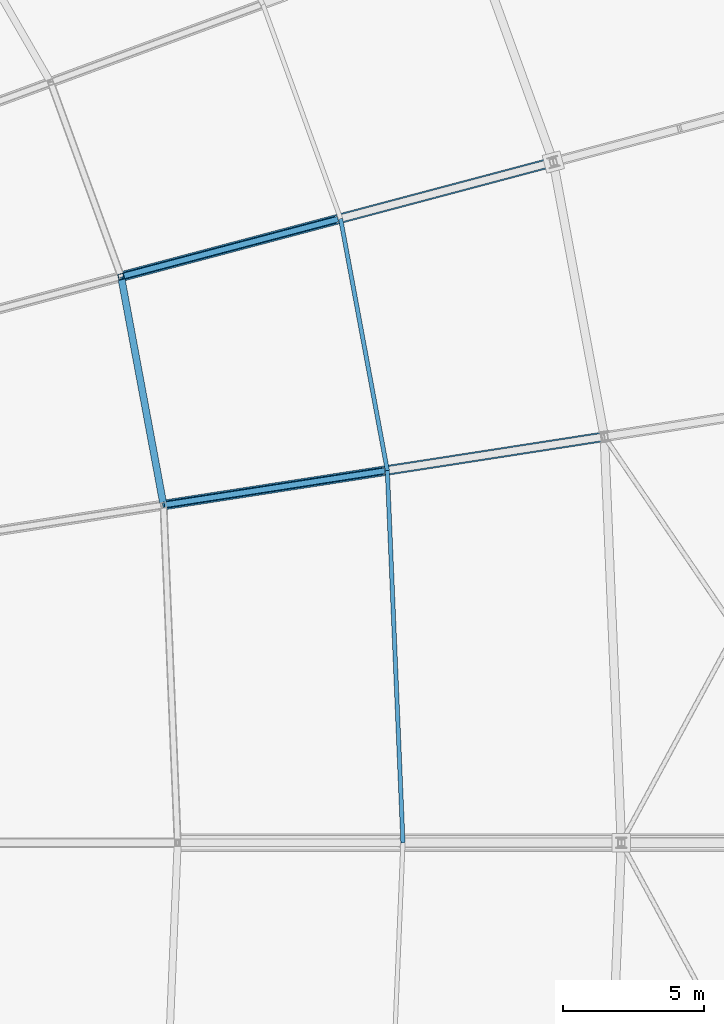
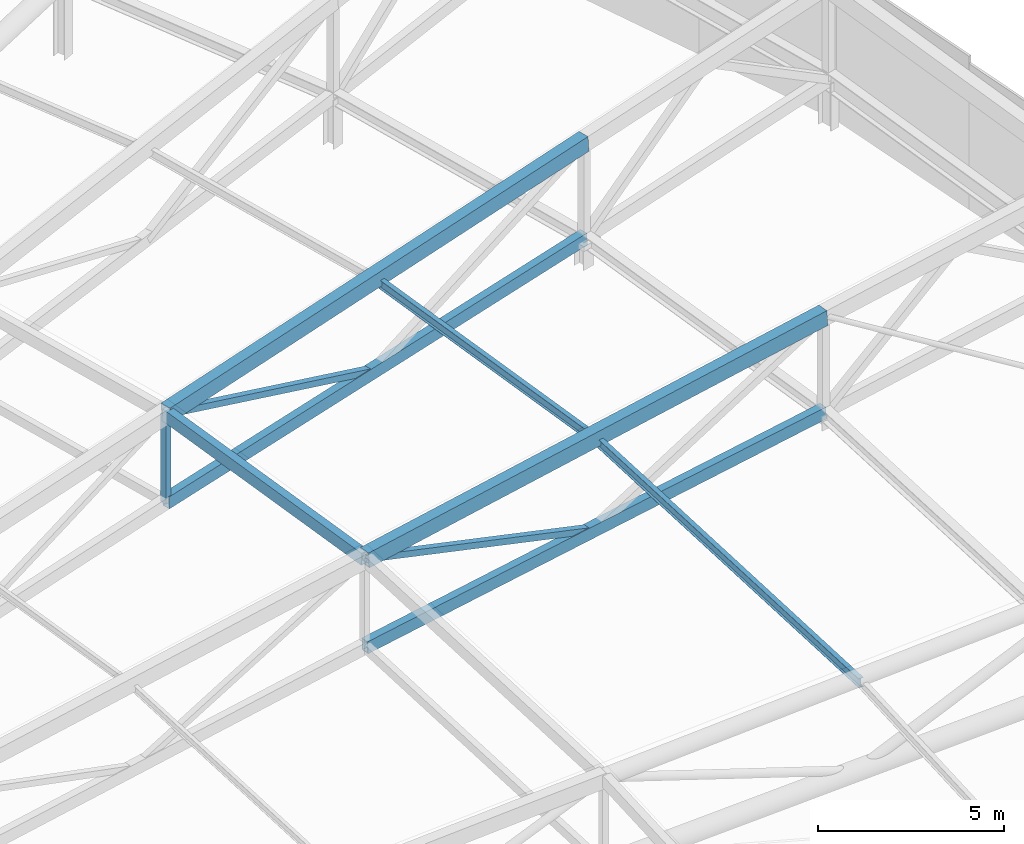
# One storey, part 75 of 143: 5 beams, 5 members.
"""IFC4 building model written with IfcOpenShell, lengths in metres."""

from ifc_helpers import new_model, si_unit, direction, frame, origin, origin_2d, place, context, subcontext, project, spatial, hollow_rectangle, i_section, extrude, material, material_profile, profile_set, type_object, element, save


model = new_model("IFC4")

# Units and contexts
model_context = context("Model", 3, precision=1e-05, world=origin(), true_north=direction((0.0, 1.0)))
body_context = subcontext(model_context, "Body", "Model", "MODEL_VIEW")
ifc_project = project(units=[si_unit("LENGTHUNIT", "METRE"), si_unit("AREAUNIT", "SQUARE_METRE"), si_unit("VOLUMEUNIT", "CUBIC_METRE"), si_unit("PLANEANGLEUNIT", "RADIAN"), si_unit("MASSUNIT", "GRAM", prefix="KILO")], contexts=[model_context])

# Site, building, storey
site_placement = place(None, origin())
site = spatial("IfcSite", under=ifc_project, at=site_placement, CompositionType="ELEMENT")
building_placement = place(site_placement, origin())
building = spatial("IfcBuilding", under=site, at=building_placement, Name="Mphavela Belvedere Stadium", CompositionType="ELEMENT")
storey_placement = place(building_placement, frame((0.0, 0.0, 28.800048828125)))
storey = spatial("IfcBuildingStorey", under=building, at=storey_placement, Name="RF", CompositionType="ELEMENT", Elevation=28.800048828125)

# Beams
ifc_material_1 = material(Name="Steel S355", Category="steel")
ifc_material_profile_1 = material_profile(ifc_material_1, hollow_rectangle(XDim=0.25, YDim=0.39990234375, WallThickness=0.01611328125, at=origin_2d()), Name="RHS 400x250x16")
ifc_profile_set_1 = profile_set([ifc_material_profile_1], Name="Steel S355")
beam_type_1 = type_object("IfcBeamType", Name="BM-RING-MID", PredefinedType="BEAM", material=ifc_profile_set_1)
beam_1_placement = place(storey_placement, frame((192.33935546875, 98.995849609375, 2.614013671875), z_axis=(-0.182438230803, 0.982234667217, 0.043947132546), x_axis=(-0.983184563063, -0.182614662488, 0.0)))
element("IfcBeam", 1, at=beam_1_placement, inside=storey, type_object=beam_type_1, Name="Intermediate roof ring beam RB-MID-02", PredefinedType="BEAM", context=body_context, shape_type="SweptSolid", body=[
    extrude(hollow_rectangle(XDim=0.25, YDim=0.39990234375, WallThickness=0.01611328125, at=origin_2d()), origin(), (0.0, 0.0, 1.0), 8.2607421875),
])
ifc_material_2 = material(Name="Steel S355", Category="steel")
ifc_material_profile_2 = material_profile(ifc_material_2, hollow_rectangle(XDim=0.25, YDim=0.39990234375, WallThickness=0.01611328125, at=origin_2d()), Name="RHS 400x250x16")
ifc_profile_set_2 = profile_set([ifc_material_profile_2], Name="Steel S355")
beam_type_2 = type_object("IfcBeamType", Name="BM-TRUSS-BC2", PredefinedType="BEAM", material=ifc_profile_set_2)
beam_2_placement = place(storey_placement, frame((208.0, 101.4248046875, 0.48046875), z_axis=(-0.9870314816, -0.153087896524, -0.048300623901), x_axis=(0.153266782809, -0.988184847732, 0.0)))
element("IfcBeam", 2, at=beam_2_placement, inside=storey, type_object=beam_type_2, Name="Radial roof truss RT-02 bottom chord 2", PredefinedType="BEAM", context=body_context, shape_type="SweptSolid", body=[
    extrude(hollow_rectangle(XDim=0.25, YDim=0.39990234375, WallThickness=0.01611328125, at=origin_2d()), origin(), (0.0, 0.0, 1.0), 15.866455078125),
])
beam_3_placement = place(storey_placement, frame((206.1875, 111.181884765625, 0.916748046875), z_axis=(-0.965242685849, -0.255970788732, -0.052777956859), x_axis=(0.256328040197, -0.966589848803, 0.0)))
element("IfcBeam", 3, at=beam_3_placement, inside=storey, type_object=beam_type_2, Name="Radial roof truss RT-03 bottom chord 2", PredefinedType="BEAM", context=body_context, shape_type="SweptSolid", body=[
    extrude(hollow_rectangle(XDim=0.25, YDim=0.39990234375, WallThickness=0.01611328125, at=origin_2d()), origin(), (0.0, 0.0, 1.0), 15.908203125),
])
ifc_material_3 = material(Name="Steel S355", Category="steel")
ifc_material_profile_3 = material_profile(ifc_material_3, hollow_rectangle(XDim=0.35009765625, YDim=0.5, WallThickness=0.02001953125, at=origin_2d()), Name="RHS 500x350x20")
ifc_profile_set_3 = profile_set([ifc_material_profile_3], Name="Steel S355")
beam_type_3 = type_object("IfcBeamType", Name="BM-TRUSS-TC2", PredefinedType="BEAM", material=ifc_profile_set_3)
beam_4_placement = place(storey_placement, frame((208.0, 101.4248046875, 3.63037109375), z_axis=(-0.986158933324, -0.152952564893, -0.064000555599), x_axis=(0.153266782809, -0.988184847732, 0.0)))
element("IfcBeam", 4, at=beam_4_placement, inside=storey, type_object=beam_type_3, Name="Radial roof truss RT-02 top chord 2", PredefinedType="BEAM", context=body_context, shape_type="SweptSolid", body=[
    extrude(hollow_rectangle(XDim=0.35009765625, YDim=0.5, WallThickness=0.02001953125, at=origin_2d()), origin(), (0.0, 0.0, 1.0), 15.88037109375),
])
beam_5_placement = place(storey_placement, frame((206.1875, 111.181884765625, 4.06689453125), z_axis=(-0.964323205895, -0.255726953671, -0.068443259259), x_axis=(0.256328040197, -0.966589848803, 0.0)))
element("IfcBeam", 5, at=beam_5_placement, inside=storey, type_object=beam_type_3, Name="Radial roof truss RT-03 top chord 2", PredefinedType="BEAM", context=body_context, shape_type="SweptSolid", body=[
    extrude(hollow_rectangle(XDim=0.35009765625, YDim=0.5, WallThickness=0.02001953125, at=origin_2d()), origin(), (0.0, 0.0, 1.0), 15.92333984375),
])

# Members
ifc_material_4 = material(Name="Steel S355", Category="steel")
ifc_material_profile_4 = material_profile(ifc_material_4, hollow_rectangle(XDim=0.199951171875, YDim=0.199951171875, WallThickness=0.010009765625, at=origin_2d()), Name="SHS 200x200x10")
ifc_profile_set_4 = profile_set([ifc_material_profile_4], Name="Steel S355")
member_type_1 = type_object("IfcMemberType", Name="MEM-POST-SHS200", PredefinedType="POST", material=ifc_profile_set_4)
member_1_placement = place(storey_placement, frame((200.169677734375, 100.21044921875, 0.09716796875), z_axis=(-0.94181610483, -0.146089705407, 0.302721361416), x_axis=(0.153281826121, -0.988182514408, 0.0)))
element("IfcMember", 6, at=member_1_placement, inside=storey, type_object=member_type_1, Name="Radial roof truss RT-02 web diagonal D4", PredefinedType="POST", context=body_context, shape_type="SweptSolid", body=[
    extrude(hollow_rectangle(XDim=0.199951171875, YDim=0.199951171875, WallThickness=0.010009765625, at=origin_2d()), origin(), (0.0, 0.0, 1.0), 8.31396484375),
])
member_2_placement = place(storey_placement, frame((190.832275390625, 107.10986328125, 0.0771484375), z_axis=(0.0, 0.0, 1.0), x_axis=(0.966600102017, 0.256289373133, 0.0)))
element("IfcMember", 7, at=member_2_placement, inside=storey, type_object=member_type_1, Name="Radial roof truss RT-03 post P3", PredefinedType="POST", context=body_context, shape_type="SweptSolid", body=[
    extrude(hollow_rectangle(XDim=0.199951171875, YDim=0.199951171875, WallThickness=0.010009765625, at=origin_2d()), origin(), (0.0, 0.0, 1.0), 2.89990234375),
])
member_3_placement = place(storey_placement, frame((198.510009765625, 109.145751953125, 0.4970703125), z_axis=(-0.922668992957, -0.24466219576, 0.298030769221), x_axis=(0.256309874085, -0.966594666055, 0.0)))
element("IfcMember", 8, at=member_3_placement, inside=storey, type_object=member_type_1, Name="Radial roof truss RT-03 web diagonal D4", PredefinedType="POST", context=body_context, shape_type="SweptSolid", body=[
    extrude(hollow_rectangle(XDim=0.199951171875, YDim=0.199951171875, WallThickness=0.010009765625, at=origin_2d()), origin(), (0.0, 0.0, 1.0), 8.3212890625),
])
ifc_material_5 = material(Name="Steel S355", Category="steel")
ifc_material_profile_5 = material_profile(ifc_material_5, i_section(OverallWidth=0.14990234375, OverallDepth=0.300048828125, WebThickness=0.007080078125, FlangeThickness=0.0107421875, at=origin_2d()), Name="IPE 300")
ifc_profile_set_5 = profile_set([ifc_material_profile_5], Name="Steel S355")
member_type_2 = type_object("IfcMemberType", Name="MEM-PURLIN-IPE300", PredefinedType="PURLIN", material=ifc_profile_set_5)
member_4_placement = place(storey_placement, frame((200.844970703125, 87.0, 2.803466796875), z_axis=(-0.041909020321, 0.999068268854, 0.010306705833), x_axis=(-0.999121337686, -0.041911246458, 0.0)))
element("IfcMember", 9, at=member_4_placement, inside=storey, type_object=member_type_2, Name="Saddle canopy steel purlin 01-2", PredefinedType="PURLIN", context=body_context, shape_type="SweptSolid", body=[
    extrude(i_section(OverallWidth=0.14990234375, OverallDepth=0.300048828125, WebThickness=0.007080078125, FlangeThickness=0.0107421875, at=origin_2d()), origin(), (0.0, 0.0, 1.0), 13.241455078125),
])
member_5_placement = place(storey_placement, frame((200.2900390625, 100.22900390625, 2.93994140625), z_axis=(-0.182446845795, 0.982232930682, 0.043950180244), x_axis=(-0.983182956793, -0.18262331032, 0.0)))
element("IfcMember", 10, at=member_5_placement, inside=storey, type_object=member_type_2, Name="Saddle canopy steel purlin 02-2", PredefinedType="PURLIN", context=body_context, shape_type="SweptSolid", body=[
    extrude(i_section(OverallWidth=0.14990234375, OverallDepth=0.300048828125, WebThickness=0.007080078125, FlangeThickness=0.0107421875, at=origin_2d()), origin(), (0.0, 0.0, 1.0), 9.110107421875),
])

save(model, "model.ifc")
